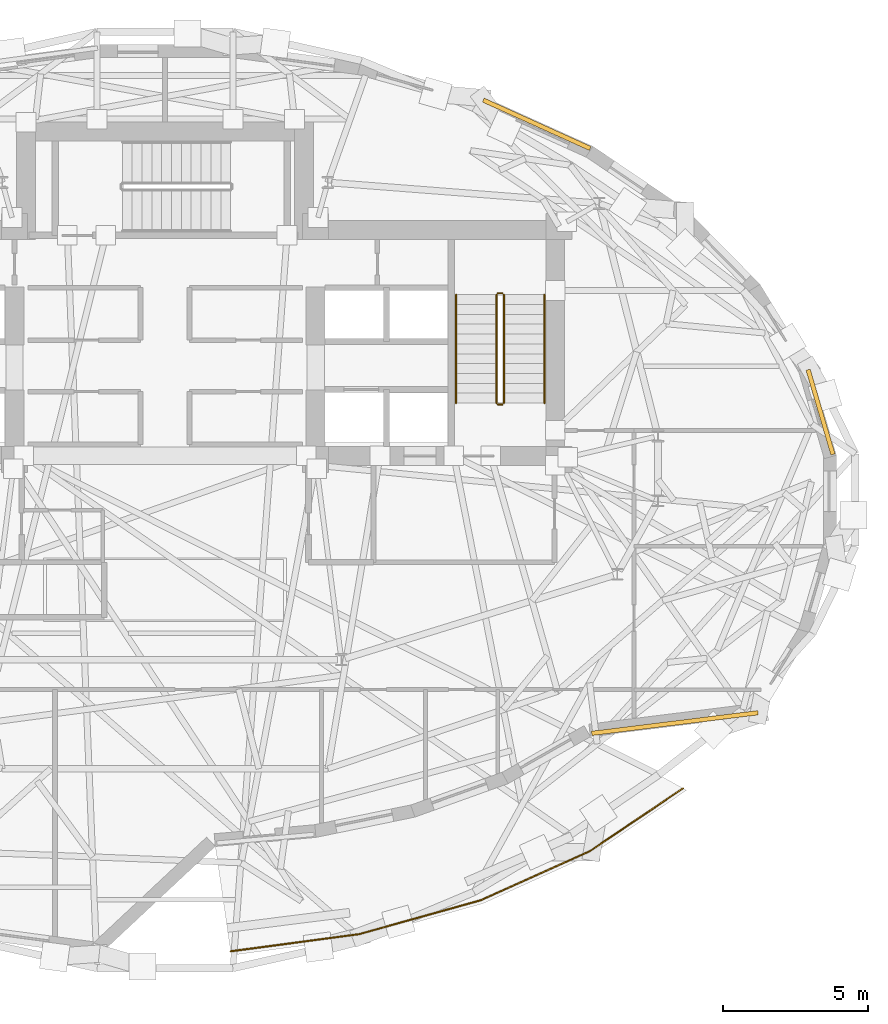
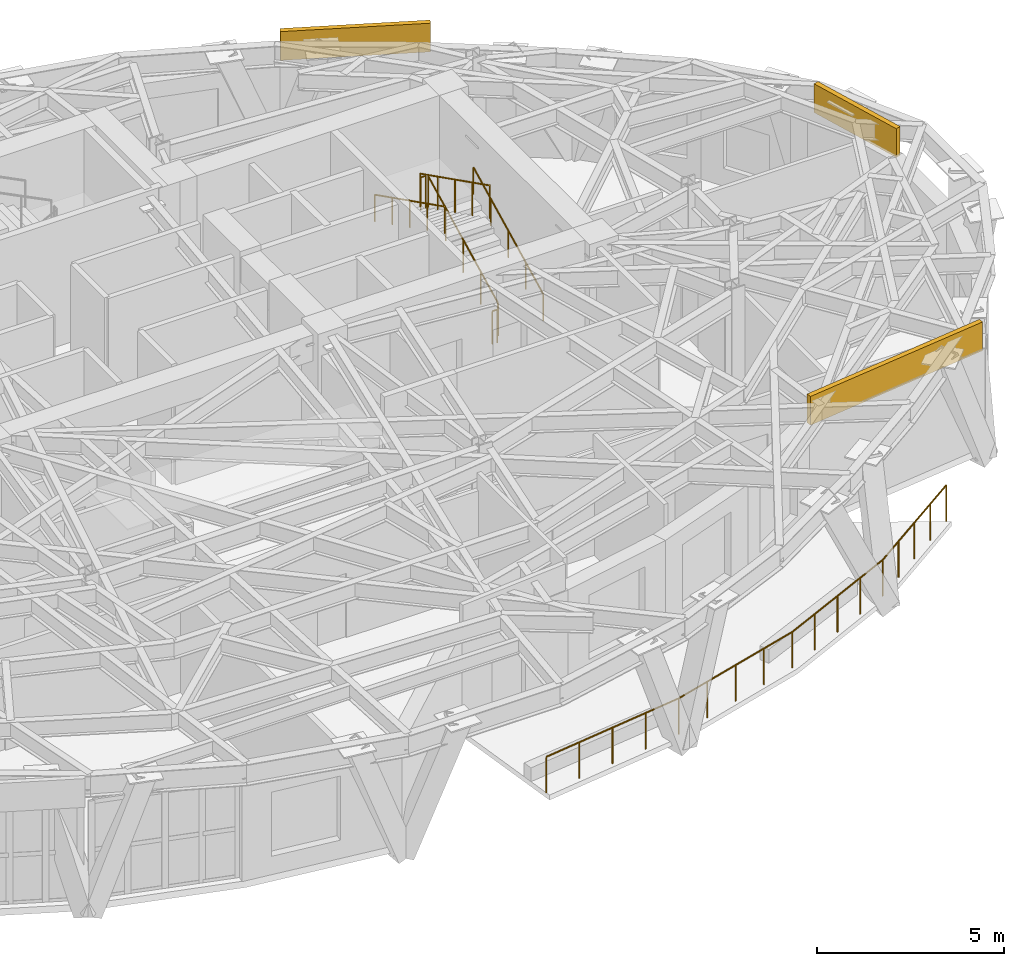
# One storey, part 15 of 15: 7 railings, 3 coverings.
"""IFC4 building model written with IfcOpenShell, lengths in metres."""

from ifc_helpers import new_model, si_unit, direction, frame, origin, origin_2d, place, context, subcontext, project, spatial, rectangle, circle, extrude, material, layer, layer_set, type_object, element, save


model = new_model("IFC4")

# Units and contexts
model_context = context("Model", 3, precision=1e-05, world=origin(), true_north=direction((0.0, 1.0)))
body_context = subcontext(model_context, "Body", "Model", "MODEL_VIEW")
ifc_project = project(units=[si_unit("LENGTHUNIT", "METRE"), si_unit("AREAUNIT", "SQUARE_METRE"), si_unit("VOLUMEUNIT", "CUBIC_METRE"), si_unit("PLANEANGLEUNIT", "RADIAN"), si_unit("MASSUNIT", "GRAM", prefix="KILO")], contexts=[model_context])

# Site, building, storey
site_placement = place(None, origin())
site = spatial("IfcSite", under=ifc_project, at=site_placement, CompositionType="ELEMENT")
building_placement = place(site_placement, origin())
building = spatial("IfcBuilding", under=site, at=building_placement, Name="Keldmark Tower", CompositionType="ELEMENT")
storey_placement = place(building_placement, frame((0.0, 0.0, 205.89990234375)))
storey = spatial("IfcBuildingStorey", under=building, at=storey_placement, Name="L57", CompositionType="ELEMENT", Elevation=205.89990234375)

# Railing
ifc_material_1 = material(Name="DuPont SentryGlas Laminated Glass and Stainless Posts", Category="glass")
railing_type_1 = type_object("IfcRailingType", Name="Heated Laminated Glass Wind-Baffle Guard 1200 mm", PredefinedType="GUARDRAIL", material=ifc_material_1)
railing_1_placement = place(storey_placement, frame((2.263671875, -15.58544921875, 0.0)))
element("IfcRailing", 1, at=railing_1_placement, inside=storey, type_object=railing_type_1, Name="L57 Terrace Laminated Glass Wind-Baffle Guard TERR 01", PredefinedType="GUARDRAIL", context=body_context, shape_type="SweptSolid", body=[
    extrude(circle(Radius=0.02392578125, at=origin_2d()), frame((0.0, 0.0, 1.17578125), z_axis=(0.991194092036, 0.132417037849, 0.0), x_axis=(-0.132417037849, 0.991194092036, 0.0)), (0.0, 0.0, 1.0), 4.482177734375),
    extrude(circle(Radius=0.02392578125, at=origin_2d()), frame((4.442626953125, 0.593505859375, 1.17578125), z_axis=(0.963311783185, 0.268384813982, 0.0), x_axis=(-0.268384813982, 0.963311783185, 0.0)), (0.0, 0.0, 1.0), 4.35009765625),
    extrude(circle(Radius=0.02392578125, at=origin_2d()), frame((8.633056640625, 1.760986328125, 1.17578125), z_axis=(0.911888414245, 0.410438204808, 0.0), x_axis=(-0.410438204808, 0.911888414245, 0.0)), (0.0, 0.0, 1.0), 4.141845703125),
    extrude(circle(Radius=0.02392578125, at=origin_2d()), frame((12.409912109375, 3.4609375, 1.17578125), z_axis=(0.828987295465, 0.559267435095, 0.0), x_axis=(-0.559267435095, 0.828987295465, 0.0)), (0.0, 0.0, 1.0), 3.878662109375),
    extrude(circle(Radius=0.02099609375, at=origin_2d()), origin(), (0.0, 0.0, 1.0), 1.15185546875),
    extrude(circle(Radius=0.02099609375, at=origin_2d()), frame((1.110595703125, 0.1484375, 0.0)), (0.0, 0.0, 1.0), 1.15185546875),
    extrude(circle(Radius=0.02099609375, at=origin_2d()), frame((2.22119140625, 0.296875, 0.0)), (0.0, 0.0, 1.0), 1.15185546875),
    extrude(circle(Radius=0.02099609375, at=origin_2d()), frame((3.33203125, 0.445068359375, 0.0)), (0.0, 0.0, 1.0), 1.15185546875),
    extrude(circle(Radius=0.02099609375, at=origin_2d()), frame((4.442626953125, 0.593505859375, 0.0)), (0.0, 0.0, 1.0), 1.15185546875),
    extrude(circle(Radius=0.02099609375, at=origin_2d()), frame((5.490234375, 0.88525390625, 0.0)), (0.0, 0.0, 1.0), 1.15185546875),
    extrude(circle(Radius=0.02099609375, at=origin_2d()), frame((6.537841796875, 1.17724609375, 0.0)), (0.0, 0.0, 1.0), 1.15185546875),
    extrude(circle(Radius=0.02099609375, at=origin_2d()), frame((7.58544921875, 1.46923828125, 0.0)), (0.0, 0.0, 1.0), 1.15185546875),
    extrude(circle(Radius=0.02099609375, at=origin_2d()), frame((8.633056640625, 1.760986328125, 0.0)), (0.0, 0.0, 1.0), 1.15185546875),
    extrude(circle(Radius=0.02099609375, at=origin_2d()), frame((9.5771484375, 2.18603515625, 0.0)), (0.0, 0.0, 1.0), 1.15185546875),
    extrude(circle(Radius=0.02099609375, at=origin_2d()), frame((10.521484375, 2.61083984375, 0.0)), (0.0, 0.0, 1.0), 1.15185546875),
    extrude(circle(Radius=0.02099609375, at=origin_2d()), frame((11.4658203125, 3.035888671875, 0.0)), (0.0, 0.0, 1.0), 1.15185546875),
    extrude(circle(Radius=0.02099609375, at=origin_2d()), frame((12.409912109375, 3.4609375, 0.0)), (0.0, 0.0, 1.0), 1.15185546875),
    extrude(circle(Radius=0.02099609375, at=origin_2d()), frame((13.2138671875, 4.003173828125, 0.0)), (0.0, 0.0, 1.0), 1.15185546875),
    extrude(circle(Radius=0.02099609375, at=origin_2d()), frame((14.017578125, 4.54541015625, 0.0)), (0.0, 0.0, 1.0), 1.15185546875),
    extrude(circle(Radius=0.02099609375, at=origin_2d()), frame((14.8212890625, 5.087890625, 0.0)), (0.0, 0.0, 1.0), 1.15185546875),
    extrude(circle(Radius=0.02099609375, at=origin_2d()), frame((15.625244140625, 5.630126953125, 0.0)), (0.0, 0.0, 1.0), 1.15185546875),
])

# Coverings
ifc_material_2 = material(Name="Honed Kasota Buff Dolomitic Limestone", Category="masonry")
ifc_layer = layer(ifc_material_2, 0.074951171875)
ifc_layer_set = layer_set([ifc_layer], Name="Honed Kasota Buff Dolomitic Limestone")
covering_type = type_object("IfcCoveringType", Name="Kasota Buff Limestone Spandrel Cladding Band", PredefinedType="CLADDING", material=ifc_layer_set)
covering_1_placement = place(storey_placement, frame((22.63671875, 3.03662109375, 3.13916015625), z_axis=(0.0, 0.0, 1.0), x_axis=(-0.281470694936, 0.959569824396, 0.0)))
element("IfcCovering", 2, at=covering_1_placement, inside=storey, type_object=covering_type, Name="L57 Kasota Limestone Spandrel Band 01", PredefinedType="CLADDING", context=body_context, shape_type="SweptSolid", body=[
    extrude(rectangle(XDim=3.0458984375, YDim=0.14990234375, at=origin_2d()), origin(), (0.0, 0.0, 1.0), 0.94091796875),
])
covering_2_placement = place(storey_placement, frame((12.837158203125, 12.973876953125, 3.13916015625), z_axis=(0.0, 0.0, 1.0), x_axis=(-0.910863824921, 0.412707029804, 0.0)))
element("IfcCovering", 3, at=covering_2_placement, inside=storey, type_object=covering_type, Name="L57 Kasota Limestone Spandrel Band 05", PredefinedType="CLADDING", context=body_context, shape_type="SweptSolid", body=[
    extrude(rectangle(XDim=4.049560546875, YDim=0.14990234375, at=origin_2d()), origin(), (0.0, 0.0, 1.0), 0.94091796875),
])
covering_3_placement = place(storey_placement, frame((17.606201171875, -7.70263671875, 3.13916015625), z_axis=(0.0, 0.0, 1.0), x_axis=(0.992379324292, 0.123220439527, 0.0)))
element("IfcCovering", 4, at=covering_3_placement, inside=storey, type_object=covering_type, Name="L57 Kasota Limestone Spandrel Band 29", PredefinedType="CLADDING", context=body_context, shape_type="SweptSolid", body=[
    extrude(rectangle(XDim=5.783203125, YDim=0.14990234375, at=origin_2d()), origin(), (0.0, 0.0, 1.0), 0.94091796875),
])

# Railings
ifc_material_3 = material(Name="Painted Steel ASTM A500 Grade B", Category="steel")
railing_type_2 = type_object("IfcRailingType", Name="Painted Steel Stair Well Guard 1100 mm", PredefinedType="GUARDRAIL", material=ifc_material_3)
railing_2_placement = place(storey_placement, frame((11.699951171875, 3.35009765625, 0.1708984375)))
element("IfcRailing", 5, at=railing_2_placement, inside=storey, type_object=railing_type_2, Name="L57 ST2 stair guard 1", PredefinedType="GUARDRAIL", context=body_context, shape_type="SweptSolid", body=[
    extrude(circle(Radius=0.02392578125, at=origin_2d()), frame((0.0, 0.0, 1.076171875), z_axis=(0.0, 0.893550535824, 0.448962626427), x_axis=(-1.0, 0.0, 0.0)), (0.0, 0.0, 1.0), 4.185546875),
    extrude(circle(Radius=0.02099609375, at=origin_2d()), origin(), (0.0, 0.0, 1.0), 1.052001953125),
    extrude(circle(Radius=0.02099609375, at=origin_2d()), frame((0.0, 0.93505859375, 0.4697265625)), (0.0, 0.0, 1.0), 1.052001953125),
    extrude(circle(Radius=0.02099609375, at=origin_2d()), frame((0.0, 1.8701171875, 0.939453125)), (0.0, 0.0, 1.0), 1.052001953125),
    extrude(circle(Radius=0.02099609375, at=origin_2d()), frame((0.0, 2.804931640625, 1.409423828125)), (0.0, 0.0, 1.0), 1.052001953125),
    extrude(circle(Radius=0.02099609375, at=origin_2d()), frame((0.0, 3.739990234375, 1.879150390625)), (0.0, 0.0, 1.0), 1.052001953125),
])
railing_3_placement = place(storey_placement, frame((11.64990234375, 7.139892578125, 2.050048828125)))
element("IfcRailing", 6, at=railing_3_placement, inside=storey, type_object=railing_type_2, Name="L57 ST2 stair guard 2", PredefinedType="GUARDRAIL", context=body_context, shape_type="SweptSolid", body=[
    extrude(circle(Radius=0.02392578125, at=origin_2d()), frame((0.0, 0.0, 1.076171875), z_axis=(-1.0, 0.0, 0.0), x_axis=(0.0, -1.0, 0.0)), (0.0, 0.0, 1.0), 0.14990234375),
    extrude(circle(Radius=0.02099609375, at=origin_2d()), origin(), (0.0, 0.0, 1.0), 1.052001953125),
    extrude(circle(Radius=0.02099609375, at=origin_2d()), frame((-0.14990234375, 0.0, 0.0)), (0.0, 0.0, 1.0), 1.052001953125),
])
railing_4_placement = place(storey_placement, frame((11.449951171875, 7.090087890625, 2.220947265625)))
element("IfcRailing", 7, at=railing_4_placement, inside=storey, type_object=railing_type_2, Name="L57 ST2 stair guard 3", PredefinedType="GUARDRAIL", context=body_context, shape_type="SweptSolid", body=[
    extrude(circle(Radius=0.02392578125, at=origin_2d()), frame((0.0, 0.0, 1.076171875), z_axis=(0.0, -0.893550535824, 0.448962626427), x_axis=(1.0, 0.0, 0.0)), (0.0, 0.0, 1.0), 4.185546875),
    extrude(circle(Radius=0.02099609375, at=origin_2d()), origin(), (0.0, 0.0, 1.0), 1.052001953125),
    extrude(circle(Radius=0.02099609375, at=origin_2d()), frame((0.0, -0.93505859375, 0.4697265625)), (0.0, 0.0, 1.0), 1.052001953125),
    extrude(circle(Radius=0.02099609375, at=origin_2d()), frame((0.0, -1.8701171875, 0.939453125)), (0.0, 0.0, 1.0), 1.052001953125),
    extrude(circle(Radius=0.02099609375, at=origin_2d()), frame((0.0, -2.804931640625, 1.409423828125)), (0.0, 0.0, 1.0), 1.052001953125),
    extrude(circle(Radius=0.02099609375, at=origin_2d()), frame((0.0, -3.739990234375, 1.879150390625)), (0.0, 0.0, 1.0), 1.052001953125),
])
railing_5_placement = place(storey_placement, frame((11.64990234375, 3.300048828125, 0.0)))
element("IfcRailing", 8, at=railing_5_placement, inside=storey, type_object=railing_type_2, Name="L57 ST2 stair guard 4", PredefinedType="GUARDRAIL", context=body_context, shape_type="SweptSolid", body=[
    extrude(circle(Radius=0.02392578125, at=origin_2d()), frame((0.0, 0.0, 1.076171875), z_axis=(-1.0, 0.0, 0.0), x_axis=(0.0, -1.0, 0.0)), (0.0, 0.0, 1.0), 0.14990234375),
    extrude(circle(Radius=0.02099609375, at=origin_2d()), origin(), (0.0, 0.0, 1.0), 1.052001953125),
    extrude(circle(Radius=0.02099609375, at=origin_2d()), frame((-0.14990234375, 0.0, 0.0)), (0.0, 0.0, 1.0), 1.052001953125),
])
ifc_material_4 = material(Name="Stainless Steel AISI 316L", Category="steel")
railing_type_3 = type_object("IfcRailingType", Name="Stainless Steel Stair Handrail 900 mm", PredefinedType="HANDRAIL", material=ifc_material_4)
railing_6_placement = place(storey_placement, frame((13.10009765625, 3.35009765625, 0.1708984375)))
element("IfcRailing", 9, at=railing_6_placement, inside=storey, type_object=railing_type_3, Name="L57 ST2 stair handrail 1", PredefinedType="HANDRAIL", context=body_context, shape_type="SweptSolid", body=[
    extrude(circle(Radius=0.02392578125, at=origin_2d()), frame((0.0, 0.0, 0.8759765625), z_axis=(0.0, 0.893550535824, 0.448962626427), x_axis=(-1.0, 0.0, 0.0)), (0.0, 0.0, 1.0), 4.185546875),
    extrude(circle(Radius=0.02099609375, at=origin_2d()), origin(), (0.0, 0.0, 1.0), 0.851806640625),
    extrude(circle(Radius=0.02099609375, at=origin_2d()), frame((0.0, 0.93505859375, 0.4697265625)), (0.0, 0.0, 1.0), 0.851806640625),
    extrude(circle(Radius=0.02099609375, at=origin_2d()), frame((0.0, 1.8701171875, 0.939453125)), (0.0, 0.0, 1.0), 0.851806640625),
    extrude(circle(Radius=0.02099609375, at=origin_2d()), frame((0.0, 2.804931640625, 1.409423828125)), (0.0, 0.0, 1.0), 0.851806640625),
    extrude(circle(Radius=0.02099609375, at=origin_2d()), frame((0.0, 3.739990234375, 1.879150390625)), (0.0, 0.0, 1.0), 0.851806640625),
])
railing_7_placement = place(storey_placement, frame((10.050048828125, 7.090087890625, 2.220947265625)))
element("IfcRailing", 10, at=railing_7_placement, inside=storey, type_object=railing_type_3, Name="L57 ST2 stair handrail 2", PredefinedType="HANDRAIL", context=body_context, shape_type="SweptSolid", body=[
    extrude(circle(Radius=0.02392578125, at=origin_2d()), frame((0.0, 0.0, 0.8759765625), z_axis=(0.0, -0.893550535824, 0.448962626427), x_axis=(1.0, 0.0, 0.0)), (0.0, 0.0, 1.0), 4.185546875),
    extrude(circle(Radius=0.02099609375, at=origin_2d()), origin(), (0.0, 0.0, 1.0), 0.851806640625),
    extrude(circle(Radius=0.02099609375, at=origin_2d()), frame((0.0, -0.93505859375, 0.4697265625)), (0.0, 0.0, 1.0), 0.851806640625),
    extrude(circle(Radius=0.02099609375, at=origin_2d()), frame((0.0, -1.8701171875, 0.939453125)), (0.0, 0.0, 1.0), 0.851806640625),
    extrude(circle(Radius=0.02099609375, at=origin_2d()), frame((0.0, -2.804931640625, 1.409423828125)), (0.0, 0.0, 1.0), 0.851806640625),
    extrude(circle(Radius=0.02099609375, at=origin_2d()), frame((0.0, -3.739990234375, 1.879150390625)), (0.0, 0.0, 1.0), 0.851806640625),
])

save(model, "model.ifc")
